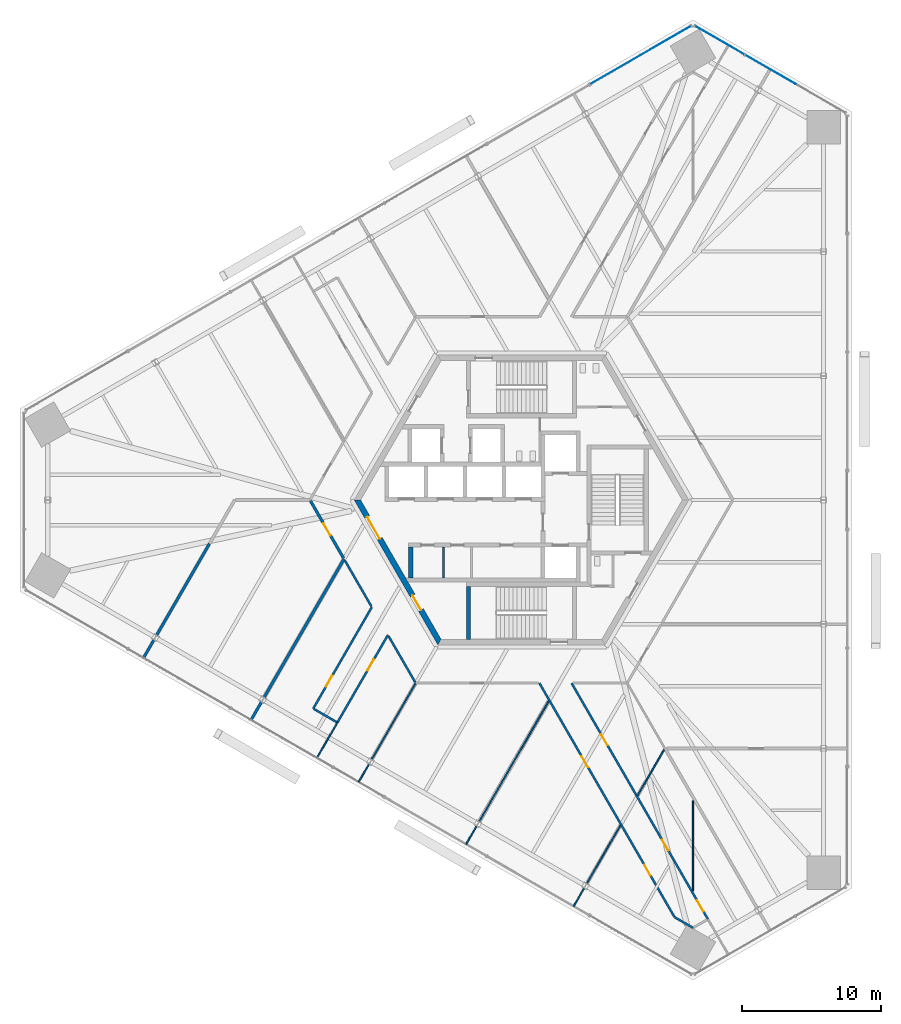
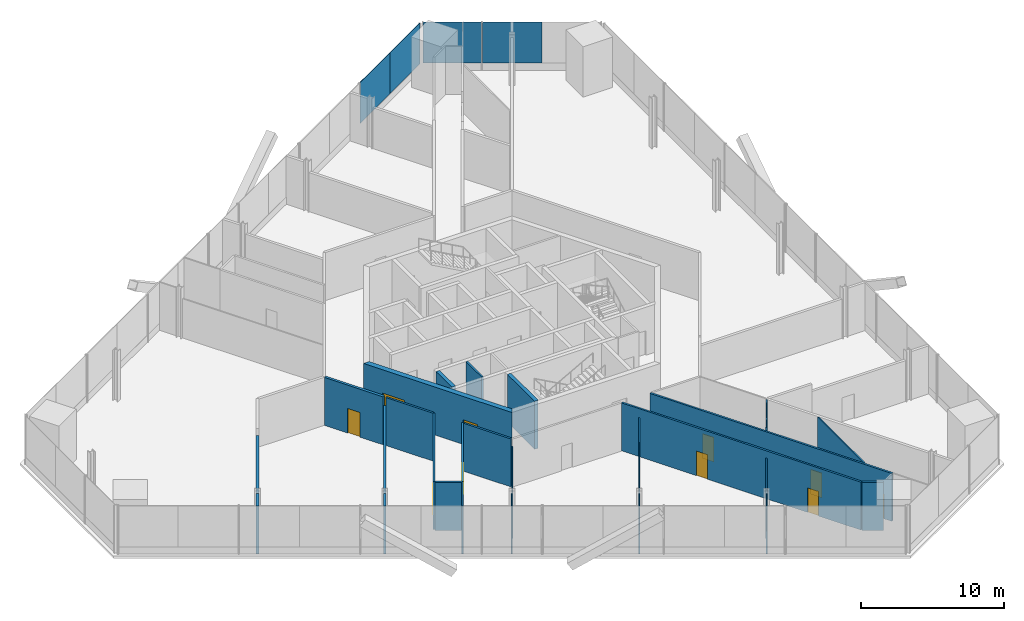
# One storey, part 10 of 16: 27 walls, 10 doors, 4 plates, 10 openings, 2 elements without a shape of their own.
"""IFC4 building model written with IfcOpenShell, lengths in metres."""

import ifcopenshell
import ifcopenshell.guid

model = None  # the IFC model being written
_history = None  # IfcOwnerHistory: only IFC2X3 demands one
_inside = {}  # id of a spatial element -> (the spatial element, [elements in it])
_under = {}  # id of a project, library or spatial element -> (it, [spatial elements below it])
_declared = {}  # id of a project -> (the project, [libraries it declares])
_typed = {}  # id of a type object -> (the type object, [elements of that type])
_made_of = {}  # id of a material, layer set ... -> (it, [elements and type objects made of it])


def new_model(schema):
    """Start an empty IFC model of exactly this schema.

    Asked for "IFC4X3", IfcOpenShell would pick the latest addendum, in which some entities
    have other attributes; the version numbers below select the first issue.
    IFC2X3 requires an IfcOwnerHistory on every rooted entity: one is made here for all.
    """
    global model, _history
    if schema == "IFC4X3":
        model = ifcopenshell.file(schema_version=(4, 3, 0, 0))
    else:
        model = ifcopenshell.file(schema=schema)
    _inside.clear()
    _under.clear()
    _declared.clear()
    _typed.clear()
    _made_of.clear()
    _history = None
    if model.schema == "IFC2X3":
        org = make("IfcOrganization", Name="unknown")
        user = make(
            "IfcPersonAndOrganization",
            ThePerson=make("IfcPerson", FamilyName="unknown"),
            TheOrganization=org,
        )
        app = make(
            "IfcApplication",
            ApplicationDeveloper=org,
            Version="unknown",
            ApplicationFullName="unknown",
            ApplicationIdentifier="unknown",
        )
        _history = make(
            "IfcOwnerHistory",
            OwningUser=user,
            OwningApplication=app,
            ChangeAction="ADDED",
            CreationDate=0,
        )
    return model


def make(cls, **values):
    """One entity of the class cls with the attributes given. An attribute that is None is left unset."""
    return model.create_entity(
        cls, **{name: value for name, value in values.items() if value is not None}
    )


def rooted(cls, **values):
    """An entity with a GlobalId (a new one), such as an element, a storey or a relation."""
    return make(cls, GlobalId=ifcopenshell.guid.new(), OwnerHistory=_history, **values)


def si_unit(unit_type, name, prefix=None):
    """IfcSIUnit, for example si_unit("LENGTHUNIT", "METRE", prefix="MILLI")."""
    return make("IfcSIUnit", UnitType=unit_type, Prefix=prefix, Name=name)


def assignment(units):
    """IfcUnitAssignment: the units of a project."""
    return None if units is None else make("IfcUnitAssignment", Units=units)


def point(xyz):
    """IfcCartesianPoint."""
    return None if xyz is None else make("IfcCartesianPoint", Coordinates=xyz)


def direction(xyz):
    """IfcDirection."""
    return None if xyz is None else make("IfcDirection", DirectionRatios=xyz)


def frame(location, z_axis=None, x_axis=None):
    """IfcAxis2Placement3D, a coordinate frame: its origin and axes. An axis left out is left unset."""
    return make(
        "IfcAxis2Placement3D",
        Location=point(location),
        Axis=direction(z_axis),
        RefDirection=direction(x_axis),
    )


def frame_2d(location, x_axis=None):
    """IfcAxis2Placement2D, a coordinate frame in the plane: its origin and x axis."""
    return make(
        "IfcAxis2Placement2D", Location=point(location), RefDirection=direction(x_axis)
    )


def origin():
    """The frame at (0, 0, 0) with its axes left unset."""
    return frame((0.0, 0.0, 0.0))


def origin_2d():
    """The frame at (0, 0) in the plane with its x axis left unset."""
    return frame_2d((0.0, 0.0))


def place(relative_to, where):
    """IfcLocalPlacement: puts the frame where relative to a parent placement (None: the world)."""
    return make(
        "IfcLocalPlacement", PlacementRelTo=relative_to, RelativePlacement=where
    )


def context(
    kind, dimensions, precision=None, world=None, true_north=None, identifier=None
):
    """IfcGeometricRepresentationContext, for example the 3D "Model" context."""
    return make(
        "IfcGeometricRepresentationContext",
        ContextIdentifier=identifier,
        ContextType=kind,
        CoordinateSpaceDimension=dimensions,
        Precision=precision,
        WorldCoordinateSystem=world,
        TrueNorth=true_north,
    )


def subcontext(parent, identifier, kind, view, scale=None):
    """IfcGeometricRepresentationSubContext, for example "Body" below "Model"."""
    return make(
        "IfcGeometricRepresentationSubContext",
        ContextIdentifier=identifier,
        ContextType=kind,
        ParentContext=parent,
        TargetScale=scale,
        TargetView=view,
    )


def project(units=None, contexts=None):
    """IfcProject with its units and contexts."""
    return rooted(
        "IfcProject",
        Name="project",
        RepresentationContexts=contexts,
        UnitsInContext=assignment(units),
    )


def spatial(cls, under=None, at=None, **own):
    """A site, building, storey or space (cls), placed at a placement, below another one or the project."""
    s = rooted(cls, ObjectPlacement=at, **own)
    if under is not None:
        _under.setdefault(under.id(), (under, []))[1].append(s)
    return s


def polyline(points):
    """IfcPolyline through the points."""
    return make("IfcPolyline", Points=[point(p) for p in points])


def profile(cls, at=None, kind="AREA", **sizes):
    """A parametric profile (cls). Its sizes go by their IFC names, for example OverallWidth=200.0."""
    return make(cls, ProfileType=kind, Position=at, **sizes)


def rectangle(**sizes):
    """IfcRectangleProfileDef."""
    return profile("IfcRectangleProfileDef", **sizes)


def outline(outer, holes=None, kind="AREA"):
    """IfcArbitraryClosedProfileDef: a profile drawn as a closed curve; with holes, ...WithVoids."""
    if holes is None:
        return make("IfcArbitraryClosedProfileDef", ProfileType=kind, OuterCurve=outer)
    return make(
        "IfcArbitraryProfileDefWithVoids",
        ProfileType=kind,
        OuterCurve=outer,
        InnerCurves=holes,
    )


def extrude(swept, where, along, depth):
    """IfcExtrudedAreaSolid: the profile swept, set in the frame where, extruded along a direction by depth."""
    return make(
        "IfcExtrudedAreaSolid",
        SweptArea=swept,
        Position=where,
        ExtrudedDirection=direction(along),
        Depth=depth,
    )


def shape(context_of_items, identifier, shape_type, items):
    """IfcShapeRepresentation: the items that make up one representation, for example the "Body"."""
    return make(
        "IfcShapeRepresentation",
        ContextOfItems=context_of_items,
        RepresentationIdentifier=identifier,
        RepresentationType=shape_type,
        Items=items,
    )


def source(mapping_origin, context_of_items, identifier, shape_type, items):
    """IfcRepresentationMap: a shape defined once, which mapped items show again and again."""
    return make(
        "IfcRepresentationMap",
        MappingOrigin=mapping_origin,
        MappedRepresentation=shape(context_of_items, identifier, shape_type, items),
    )


def transform(
    local_origin,
    x_axis=None,
    y_axis=None,
    z_axis=None,
    scale=None,
    scale2=None,
    scale3=None,
    uniform=True,
):
    """IfcCartesianTransformationOperator3D, or its non-uniform kind. x_axis, y_axis, z_axis: its Axis1, 2, 3."""
    if uniform:
        return make(
            "IfcCartesianTransformationOperator3D",
            Axis1=direction(x_axis),
            Axis2=direction(y_axis),
            LocalOrigin=point(local_origin),
            Scale=scale,
            Axis3=direction(z_axis),
        )
    return make(
        "IfcCartesianTransformationOperator3DnonUniform",
        Axis1=direction(x_axis),
        Axis2=direction(y_axis),
        LocalOrigin=point(local_origin),
        Scale=scale,
        Axis3=direction(z_axis),
        Scale2=scale2,
        Scale3=scale3,
    )


def mapped(mapping_source, mapping_target):
    """IfcMappedItem: shows the shape of a source again, moved by a transform."""
    return make(
        "IfcMappedItem", MappingSource=mapping_source, MappingTarget=mapping_target
    )


def material(Name=None, Category=None):
    """IfcMaterial."""
    return make("IfcMaterial", Name=Name, Category=Category)


def layer(
    of_material, thickness, ventilated=None, Name=None, Category=None, Priority=None
):
    """IfcMaterialLayer: one layer of a wall or slab, of a material (None: an air gap)."""
    return make(
        "IfcMaterialLayer",
        Material=of_material,
        LayerThickness=thickness,
        IsVentilated=ventilated,
        Name=Name,
        Category=Category,
        Priority=Priority,
    )


def layer_set(layers, Name=None):
    """IfcMaterialLayerSet."""
    return make("IfcMaterialLayerSet", MaterialLayers=layers, LayerSetName=Name)


def made_of(thing, what):
    """Note that an element or type object is made of a material, layer set ...; save() writes the relation."""
    if what is not None:
        _made_of.setdefault(what.id(), (what, []))[1].append(thing)
    return thing


def type_object(cls, material=None, **own):
    """A type object (cls), such as IfcWallType, which elements share."""
    return made_of(rooted(cls, **own), material)


def element(
    cls,
    number,
    at=None,
    inside=None,
    cuts=None,
    type_object=None,
    material=None,
    context=None,
    identifier="Body",
    shape_type=None,
    held_by="IfcProductDefinitionShape",
    body=None,
    shapes=None,
    **own,
):
    """One element of the class cls, such as IfcWall. Its Tag is "e" and its number.

    at: its placement. inside: the storey or other place that contains it. cuts: it is an
    opening in that element (IfcRelVoidsElement). A single representation is given by context,
    identifier, shape_type and body (its items); several are given by shapes. held_by: the class
    of the entity that holds the representations. save() writes the other relations.
    """
    e = rooted(cls, Tag="e%d" % number, ObjectPlacement=at, **own)
    if body is not None:
        shapes = [shape(context, identifier, shape_type, body)]
    if shapes is not None:
        e.Representation = make(held_by, Representations=shapes)
    if inside is not None:
        _inside.setdefault(inside.id(), (inside, []))[1].append(e)
    if cuts is not None:
        rooted(
            "IfcRelVoidsElement", RelatingBuildingElement=cuts, RelatedOpeningElement=e
        )
    if type_object is not None:
        _typed.setdefault(type_object.id(), (type_object, []))[1].append(e)
    return made_of(e, material)


def fill(opening, filler):
    """IfcRelFillsElement: the door or window that sits in an opening."""
    return rooted(
        "IfcRelFillsElement",
        RelatingOpeningElement=opening,
        RelatedBuildingElement=filler,
    )


def aggregate(whole, parts):
    """IfcRelAggregates: a whole, such as a stair, and the parts it consists of."""
    return rooted("IfcRelAggregates", RelatingObject=whole, RelatedObjects=parts)


def save(model, path):
    """Write the relations noted so far, then the file.

    IfcRelAggregates (storeys below a building ...), IfcRelContainedInSpatialStructure (elements
    in a storey), IfcRelDefinesByType, IfcRelAssociatesMaterial and IfcRelDeclares: one each for
    every whole, place, type object, material and project.
    """
    for whole, parts in _under.values():
        aggregate(whole, parts)
    for where, things in _inside.values():
        rooted(
            "IfcRelContainedInSpatialStructure",
            RelatedElements=things,
            RelatingStructure=where,
        )
    for kind, things in _typed.values():
        rooted("IfcRelDefinesByType", RelatedObjects=things, RelatingType=kind)
    for what, things in _made_of.values():
        rooted("IfcRelAssociatesMaterial", RelatedObjects=things, RelatingMaterial=what)
    for by, libraries in _declared.values():
        rooted("IfcRelDeclares", RelatingContext=by, RelatedDefinitions=libraries)
    model.write(path)


model = new_model("IFC4")

# Units and contexts
model_context = context("Model", 3, precision=1e-05, world=origin(), true_north=direction((0.0, 1.0)))
body_context = subcontext(model_context, "Body", "Model", "MODEL_VIEW")
ifc_project = project(units=[si_unit("LENGTHUNIT", "METRE"), si_unit("AREAUNIT", "SQUARE_METRE"), si_unit("VOLUMEUNIT", "CUBIC_METRE"), si_unit("PLANEANGLEUNIT", "RADIAN"), si_unit("MASSUNIT", "GRAM", prefix="KILO")], contexts=[model_context])

# Site, building, storey
site_placement = place(None, origin())
site = spatial("IfcSite", under=ifc_project, at=site_placement, CompositionType="ELEMENT")
building_placement = place(site_placement, origin())
building = spatial("IfcBuilding", under=site, at=building_placement, Name="Triune Harvest Tower", CompositionType="ELEMENT")
storey_placement = place(building_placement, frame((0.0, 0.0, 37.5)))
storey = spatial("IfcBuildingStorey", under=building, at=storey_placement, Name="L08", CompositionType="ELEMENT", Elevation=37.5)

# Curtain wall, plates
ifc_material_1 = material(Name="Aluminium bronze anodised", Category="aluminium")
curtain_wall_type = type_object("IfcCurtainWallType", Name="CW-3 Farm floor curtain wall", PredefinedType="NOTDEFINED", material=ifc_material_1)
curtain_wall_1_placement = place(storey_placement, origin())
curtain_wall_1 = element("IfcCurtainWall", 1, at=curtain_wall_1_placement, inside=storey, type_object=curtain_wall_type, Name="CW-3 B1-F2 L08 run 1")
ifc_material_2 = material(Name="Glass", Category="glass")
ifc_layer_1 = layer(ifc_material_2, 0.035888671875)
ifc_layer_set_1 = layer_set([ifc_layer_1], Name="Glass")
plate_type = type_object("IfcPlateType", Name="GL-3 panel 36", PredefinedType="CURTAIN_PANEL", material=ifc_layer_set_1)
shared_shape_1 = source(origin(), body_context, "Body", "SweptSolid", [
    extrude(rectangle(XDim=4.157958984375, YDim=0.035888671875, at=origin_2d()), origin(), (0.0, 0.0, 1.0), 3.5),
])
plate_1_placement = place(storey_placement, frame((17.857666015625, 30.89013671875, 0.60009765625), z_axis=(0.0, 0.0, 1.0), x_axis=(-0.866026145592, 0.499998715149, 0.0)))
plate_1 = element("IfcPlate", 2, at=plate_1_placement, type_object=plate_type, Name="CW-3 panel B1-F2 1.2", PredefinedType="CURTAIN_PANEL", context=body_context, shape_type="MappedRepresentation", body=[
    mapped(shared_shape_1, transform((0.0, 0.0, 0.0), scale=1.0)),
])
shared_shape_2 = source(origin(), body_context, "Body", "SweptSolid", [
    extrude(rectangle(XDim=4.077880859375, YDim=0.035888671875, at=origin_2d()), origin(), (0.0, 0.0, 1.0), 3.5),
])
plate_2_placement = place(storey_placement, frame((14.22216796875, 32.989013671875, 0.60009765625), z_axis=(0.0, 0.0, 1.0), x_axis=(-0.866026145592, 0.499998715149, 0.0)))
plate_2 = element("IfcPlate", 3, at=plate_2_placement, type_object=plate_type, Name="CW-3 panel B1-F2 1.3", PredefinedType="CURTAIN_PANEL", context=body_context, shape_type="MappedRepresentation", body=[
    mapped(shared_shape_2, transform((0.0, 0.0, 0.0), scale=1.0)),
])
aggregate(curtain_wall_1, [plate_1, plate_2])

curtain_wall_2_placement = place(storey_placement, origin())
curtain_wall_2 = element("IfcCurtainWall", 4, at=curtain_wall_2_placement, inside=storey, type_object=curtain_wall_type, Name="CW-3 B1-F3 L08 run 1")
shared_shape_3 = source(origin(), body_context, "Body", "SweptSolid", [
    extrude(rectangle(XDim=4.168701171875, YDim=0.035888671875, at=origin_2d()), origin(), (0.0, 0.0, 1.0), 3.5),
])
plate_3_placement = place(storey_placement, frame((10.356689453125, 32.96630859375, 0.60009765625), z_axis=(0.0, 0.0, 1.0), x_axis=(-0.866028152342, -0.499995239328, 0.0)))
plate_3 = element("IfcPlate", 5, at=plate_3_placement, type_object=plate_type, Name="CW-3 panel B1-F3 1.1", PredefinedType="CURTAIN_PANEL", context=body_context, shape_type="MappedRepresentation", body=[
    mapped(shared_shape_3, transform((0.0, 0.0, 0.0), scale=1.0)),
])
plate_4_placement = place(storey_placement, frame((6.74658203125, 30.882080078125, 0.60009765625), z_axis=(0.0, 0.0, 1.0), x_axis=(-0.866028152342, -0.499995239328, 0.0)))
plate_4 = element("IfcPlate", 6, at=plate_4_placement, type_object=plate_type, Name="CW-3 panel B1-F3 1.2", PredefinedType="CURTAIN_PANEL", context=body_context, shape_type="MappedRepresentation", body=[
    mapped(shared_shape_3, transform((0.0, 0.0, 0.0), scale=1.0)),
])
aggregate(curtain_wall_2, [plate_3, plate_4])

# Walls
ifc_material_3 = material(Name="Gypsum board on steel studs", Category="steel")
ifc_layer_2 = layer(ifc_material_3, 0.14990234375)
ifc_layer_set_2 = layer_set([ifc_layer_2], Name="Gypsum board on steel studs")
wall_type_1 = type_object("IfcWallType", Name="Fire Partition 150 mm", PredefinedType="PARTITIONING", material=ifc_layer_set_2)
wall_1_placement = place(storey_placement, frame((-12.665283203125, -4.347900390625, 0.0), z_axis=(0.0, 0.0, 1.0), x_axis=(0.500009333805, -0.866020014843, 0.0)))
element("IfcWall", 7, at=wall_1_placement, inside=storey, type_object=wall_type_1, Name="Partition L08 002", PredefinedType="PARTITIONING", context=body_context, shape_type="SweptSolid", body=[
    extrude(rectangle(XDim=3.80615234375, YDim=0.14990234375, at=frame_2d((1.903076171875, 0.0))), origin(), (0.0, 0.0, 1.0), 4.10009765625),
])
wall_2_placement = place(storey_placement, frame((-9.52734375, -9.78271484375, 0.0), z_axis=(0.0, 0.0, 1.0), x_axis=(0.500013098431, -0.86601784127, 0.0)))
element("IfcWall", 8, at=wall_2_placement, inside=storey, type_object=wall_type_1, Name="Partition L08 003", PredefinedType="PARTITIONING", context=body_context, shape_type="SweptSolid", body=[
    extrude(rectangle(XDim=3.82958984375, YDim=0.14990234375, at=frame_2d((1.914794921875, 0.0))), origin(), (0.0, 0.0, 1.0), 4.10009765625),
])

# Wall, openings, doors
wall_3_placement = place(storey_placement, frame((1.288818359375, -13.142333984375, 0.0), z_axis=(0.0, 0.0, 1.0), x_axis=(0.500002274473, -0.866024090613, 0.0)))
wall_3 = element("IfcWall", 9, at=wall_3_placement, inside=storey, type_object=wall_type_1, Name="Partition L08 008", PredefinedType="PARTITIONING", context=body_context, shape_type="SweptSolid", body=[
    extrude(rectangle(XDim=19.384765625, YDim=0.14990234375, at=frame_2d((9.6923828125, 0.0))), origin(), (0.0, 0.0, 1.0), 4.10009765625),
])
opening_1_placement = place(wall_3_placement, frame((6.061767578125, 0.0, 0.0)))
opening_1 = element("IfcOpeningElement", 10, at=opening_1_placement, cuts=wall_3, Name="Opening L08-017", PredefinedType="OPENING", context=body_context, shape_type="SweptSolid", body=[
    extrude(rectangle(XDim=0.89990234375, YDim=2.10009765625, at=frame_2d((0.449951171875, 1.050048828125))), frame((0.0, 0.0849609375, 0.0), z_axis=(0.0, -1.0, 0.0), x_axis=(1.0, 0.0, 0.0)), (0.0, 0.0, 1.0), 0.169921875),
])
opening_2_placement = place(wall_3_placement, frame((15.05029296875, 0.0, 0.0)))
opening_2 = element("IfcOpeningElement", 11, at=opening_2_placement, cuts=wall_3, Name="Opening L08-019", PredefinedType="OPENING", context=body_context, shape_type="SweptSolid", body=[
    extrude(rectangle(XDim=0.89990234375, YDim=2.10009765625, at=frame_2d((0.449951171875, 1.050048828125))), frame((0.0, 0.0849609375, 0.0), z_axis=(0.0, -1.0, 0.0), x_axis=(1.0, 0.0, 0.0)), (0.0, 0.0, 1.0), 0.169921875),
])
ifc_material_4 = material(Name="Timber and steel door set", Category="steel")
door_type_1 = type_object("IfcDoorType", Name="Single leaf door FD30 left hand 900 x 2100", OperationType="SINGLE_SWING_LEFT", PredefinedType="DOOR", material=ifc_material_4)
door_1_placement = place(opening_2_placement, origin())
door_1 = element("IfcDoor", 12, at=door_1_placement, inside=storey, type_object=door_type_1, Name="Door L08-019 Laboratory 08.19", OperationType="SINGLE_SWING_LEFT", OverallHeight=2.10009765625, OverallWidth=0.89990234375, PredefinedType="DOOR", context=body_context, shape_type="SweptSolid", body=[
    extrude(rectangle(XDim=0.89990234375, YDim=2.10009765625, at=frame_2d((0.449951171875, 1.050048828125))), frame((0.0, 0.02490234375, 0.0), z_axis=(0.0, -1.0, 0.0), x_axis=(1.0, 0.0, 0.0)), (0.0, 0.0, 1.0), 0.050048828125),
])
fill(opening_2, door_1)
ifc_material_5 = material(Name="Timber and steel door set", Category="steel")
door_type_2 = type_object("IfcDoorType", Name="Single leaf door FD30 right hand 900 x 2100", OperationType="SINGLE_SWING_RIGHT", PredefinedType="DOOR", material=ifc_material_5)
door_2_placement = place(opening_1_placement, origin())
door_2 = element("IfcDoor", 13, at=door_2_placement, inside=storey, type_object=door_type_2, Name="Door L08-017 Packing Room 08.17", OperationType="SINGLE_SWING_RIGHT", OverallHeight=2.10009765625, OverallWidth=0.89990234375, PredefinedType="DOOR", context=body_context, shape_type="SweptSolid", body=[
    extrude(rectangle(XDim=0.89990234375, YDim=2.10009765625, at=frame_2d((0.449951171875, 1.050048828125))), frame((0.0, 0.02490234375, 0.0), z_axis=(0.0, -1.0, 0.0), x_axis=(1.0, 0.0, 0.0)), (0.0, 0.0, 1.0), 0.050048828125),
])
fill(opening_1, door_2)

wall_4_placement = place(storey_placement, frame((3.598388671875, -13.14208984375, 0.0), z_axis=(0.0, 0.0, 1.0), x_axis=(0.499992232847, -0.866029888106, 0.0)))
wall_4 = element("IfcWall", 14, at=wall_4_placement, inside=storey, type_object=wall_type_1, Name="Partition L08 010", PredefinedType="PARTITIONING", context=body_context, shape_type="SweptSolid", body=[
    extrude(rectangle(XDim=19.557861328125, YDim=0.14990234375, at=frame_2d((9.77880859375, 0.0))), origin(), (0.0, 0.0, 1.0), 4.10009765625),
])
opening_3_placement = place(wall_4_placement, frame((4.24072265625, 0.0, 0.0)))
opening_3 = element("IfcOpeningElement", 15, at=opening_3_placement, cuts=wall_4, Name="Opening L08-018", PredefinedType="OPENING", context=body_context, shape_type="SweptSolid", body=[
    extrude(rectangle(XDim=0.89990234375, YDim=2.10009765625, at=frame_2d((0.449951171875, 1.050048828125))), frame((0.0, 0.0849609375, 0.0), z_axis=(0.0, -1.0, 0.0), x_axis=(1.0, 0.0, 0.0)), (0.0, 0.0, 1.0), 0.169921875),
])
opening_4_placement = place(wall_4_placement, frame((12.9716796875, 0.0, 0.0)))
opening_4 = element("IfcOpeningElement", 16, at=opening_4_placement, cuts=wall_4, Name="Opening L08-020", PredefinedType="OPENING", context=body_context, shape_type="SweptSolid", body=[
    extrude(rectangle(XDim=0.89990234375, YDim=2.10009765625, at=frame_2d((0.449951171875, 1.050048828125))), frame((0.0, 0.0849609375, 0.0), z_axis=(0.0, -1.0, 0.0), x_axis=(1.0, 0.0, 0.0)), (0.0, 0.0, 1.0), 0.169921875),
])
opening_5_placement = place(wall_4_placement, frame((18.01806640625, 0.0, 0.0)))
opening_5 = element("IfcOpeningElement", 17, at=opening_5_placement, cuts=wall_4, Name="Opening L08-021", PredefinedType="OPENING", context=body_context, shape_type="SweptSolid", body=[
    extrude(rectangle(XDim=0.89990234375, YDim=2.10009765625, at=frame_2d((0.449951171875, 1.050048828125))), frame((0.0, 0.0849609375, 0.0), z_axis=(0.0, -1.0, 0.0), x_axis=(1.0, 0.0, 0.0)), (0.0, 0.0, 1.0), 0.169921875),
])
door_3_placement = place(opening_3_placement, origin())
door_3 = element("IfcDoor", 18, at=door_3_placement, inside=storey, type_object=door_type_1, Name="Door L08-018 Packing Room 08.18", OperationType="SINGLE_SWING_LEFT", OverallHeight=2.10009765625, OverallWidth=0.89990234375, PredefinedType="DOOR", context=body_context, shape_type="SweptSolid", body=[
    extrude(rectangle(XDim=0.89990234375, YDim=2.10009765625, at=frame_2d((0.449951171875, 1.050048828125))), frame((0.0, 0.02490234375, 0.0), z_axis=(0.0, -1.0, 0.0), x_axis=(1.0, 0.0, 0.0)), (0.0, 0.0, 1.0), 0.050048828125),
])
fill(opening_3, door_3)
door_4_placement = place(opening_4_placement, origin())
door_4 = element("IfcDoor", 19, at=door_4_placement, inside=storey, type_object=door_type_2, Name="Door L08-020 Dry Store Room 08.20", OperationType="SINGLE_SWING_RIGHT", OverallHeight=2.10009765625, OverallWidth=0.89990234375, PredefinedType="DOOR", context=body_context, shape_type="SweptSolid", body=[
    extrude(rectangle(XDim=0.89990234375, YDim=2.10009765625, at=frame_2d((0.449951171875, 1.050048828125))), frame((0.0, 0.02490234375, 0.0), z_axis=(0.0, -1.0, 0.0), x_axis=(1.0, 0.0, 0.0)), (0.0, 0.0, 1.0), 0.050048828125),
])
fill(opening_4, door_4)
door_5_placement = place(opening_5_placement, origin())
door_5 = element("IfcDoor", 20, at=door_5_placement, inside=storey, type_object=door_type_2, Name="Door L08-021 Packing Room 08.21", OperationType="SINGLE_SWING_RIGHT", OverallHeight=2.10009765625, OverallWidth=0.89990234375, PredefinedType="DOOR", context=body_context, shape_type="SweptSolid", body=[
    extrude(rectangle(XDim=0.89990234375, YDim=2.10009765625, at=frame_2d((0.449951171875, 1.050048828125))), frame((0.0, 0.02490234375, 0.0), z_axis=(0.0, -1.0, 0.0), x_axis=(1.0, 0.0, 0.0)), (0.0, 0.0, 1.0), 0.050048828125),
])
fill(opening_5, door_5)

# Wall, opening, door
wall_5_placement = place(storey_placement, frame((-14.938720703125, -14.965087890625, 0.0), z_axis=(0.0, 0.0, 1.0), x_axis=(0.499994897466, 0.866028349714, 0.0)))
wall_5 = element("IfcWall", 21, at=wall_5_placement, inside=storey, type_object=wall_type_1, Name="Partition L08 054", PredefinedType="PARTITIONING", context=body_context, shape_type="SweptSolid", body=[
    extrude(rectangle(XDim=8.4033203125, YDim=0.14990234375, at=frame_2d((4.20166015625, 0.0))), origin(), (0.0, 0.0, 1.0), 4.10009765625),
])
opening_6_placement = place(wall_5_placement, frame((1.82568359375, 0.0, 0.0)))
opening_6 = element("IfcOpeningElement", 22, at=opening_6_placement, cuts=wall_5, Name="Opening L08-014", PredefinedType="OPENING", context=body_context, shape_type="SweptSolid", body=[
    extrude(rectangle(XDim=0.89990234375, YDim=2.10009765625, at=frame_2d((0.449951171875, 1.050048828125))), frame((0.0, 0.0849609375, 0.0), z_axis=(0.0, -1.0, 0.0), x_axis=(1.0, 0.0, 0.0)), (0.0, 0.0, 1.0), 0.169921875),
])
door_6_placement = place(opening_6_placement, origin())
door_6 = element("IfcDoor", 23, at=door_6_placement, inside=storey, type_object=door_type_1, Name="Door L08-014 Dry Store Room 08.14", OperationType="SINGLE_SWING_LEFT", OverallHeight=2.10009765625, OverallWidth=0.89990234375, PredefinedType="DOOR", context=body_context, shape_type="SweptSolid", body=[
    extrude(rectangle(XDim=0.89990234375, YDim=2.10009765625, at=frame_2d((0.449951171875, 1.050048828125))), frame((0.0, 0.02490234375, 0.0), z_axis=(0.0, -1.0, 0.0), x_axis=(1.0, 0.0, 0.0)), (0.0, 0.0, 1.0), 0.050048828125),
])
fill(opening_6, door_6)

ifc_material_6 = material(Name="Gypsum board on steel studs", Category="steel")
ifc_layer_3 = layer(ifc_material_6, 0.199951171875)
ifc_layer_set_3 = layer_set([ifc_layer_3], Name="Gypsum board on steel studs")
wall_type_2 = type_object("IfcWallType", Name="Fire Wall 200 mm", PredefinedType="PARTITIONING", material=ifc_layer_set_3)
wall_6_placement = place(storey_placement, frame((-15.140380859375, -0.060546875, 0.0), z_axis=(0.0, 0.0, 1.0), x_axis=(0.500002721793, -0.866023832351, 0.0)))
wall_6 = element("IfcWall", 24, at=wall_6_placement, inside=storey, type_object=wall_type_2, Name="Partition L08 001", PredefinedType="PARTITIONING", context=body_context, shape_type="SweptSolid", body=[
    extrude(rectangle(XDim=4.75048828125, YDim=0.199951171875, at=frame_2d((2.375244140625, 0.0))), origin(), (0.0, 0.0, 1.0), 4.10009765625),
])
opening_7_placement = place(wall_6_placement, frame((1.880126953125, 0.0, 0.0)))
opening_7 = element("IfcOpeningElement", 25, at=opening_7_placement, cuts=wall_6, Name="Opening L08-013", PredefinedType="OPENING", context=body_context, shape_type="SweptSolid", body=[
    extrude(rectangle(XDim=1.0, YDim=2.10009765625, at=frame_2d((0.5, 1.050048828125))), frame((0.0, 0.10986328125, 0.0), z_axis=(0.0, -1.0, 0.0), x_axis=(1.0, 0.0, 0.0)), (0.0, 0.0, 1.0), 0.219970703125),
])
ifc_material_7 = material(Name="Timber and steel door set", Category="steel")
door_type_3 = type_object("IfcDoorType", Name="Wide single leaf door FD60 left hand 1000 x 2100", OperationType="SINGLE_SWING_LEFT", PredefinedType="DOOR", material=ifc_material_7)
door_7_placement = place(opening_7_placement, origin())
door_7 = element("IfcDoor", 26, at=door_7_placement, inside=storey, type_object=door_type_3, Name="Door L08-013 Strawberry Growing Room 08.13", OperationType="SINGLE_SWING_LEFT", OverallHeight=2.10009765625, OverallWidth=1.0, PredefinedType="DOOR", context=body_context, shape_type="SweptSolid", body=[
    extrude(rectangle(XDim=1.0, YDim=2.10009765625, at=frame_2d((0.5, 1.050048828125))), frame((0.0, 0.02490234375, 0.0), z_axis=(0.0, -1.0, 0.0), x_axis=(1.0, 0.0, 0.0)), (0.0, 0.0, 1.0), 0.050048828125),
])
fill(opening_7, door_7)

# Walls
ifc_material_8 = material(Name="Gypsum board on steel studs", Category="steel")
ifc_layer_4 = layer(ifc_material_8, 0.10009765625)
ifc_layer_set_4 = layer_set([ifc_layer_4], Name="Gypsum board on steel studs")
wall_type_3 = type_object("IfcWallType", Name="Partition 100 mm", PredefinedType="PARTITIONING", material=ifc_layer_set_4)
wall_7_placement = place(storey_placement, frame((3.74658203125, -29.150390625, 0.0), z_axis=(0.0, 0.0, 1.0), x_axis=(0.500027927039, 0.866009279501, 0.0)))
element("IfcWall", 27, at=wall_7_placement, inside=storey, type_object=wall_type_3, Name="Partition L08 038", PredefinedType="PARTITIONING", context=body_context, shape_type="SweptSolid", body=[
    extrude(rectangle(XDim=1.4990234375, YDim=0.10009765625, at=frame_2d((0.74951171875, 0.0))), origin(), (0.0, 0.0, 1.0), 4.10009765625),
])
wall_8_placement = place(storey_placement, frame((8.968017578125, -20.106689453125, 0.0), z_axis=(0.0, 0.0, 1.0), x_axis=(0.500066192889, 0.865987183929, 0.0)))
element("IfcWall", 28, at=wall_8_placement, inside=storey, type_object=wall_type_3, Name="Partition L08 040a", PredefinedType="PARTITIONING", context=body_context, shape_type="SweptSolid", body=[
    extrude(rectangle(XDim=2.520751953125, YDim=0.10009765625, at=frame_2d((1.26025390625, 0.0))), origin(), (0.0, 0.0, 1.0), 4.10009765625),
])
wall_9_placement = place(storey_placement, frame((-3.969482421875, -24.6953125, 0.0), z_axis=(0.0, 0.0, 1.0), x_axis=(0.499905760005, 0.866079806435, 0.0)))
element("IfcWall", 29, at=wall_9_placement, inside=storey, type_object=wall_type_3, Name="Partition L08 043", PredefinedType="PARTITIONING", context=body_context, shape_type="SweptSolid", body=[
    extrude(rectangle(XDim=1.498779296875, YDim=0.10009765625, at=frame_2d((0.74951171875, 0.0))), origin(), (0.0, 0.0, 1.0), 4.10009765625),
])
wall_10_placement = place(storey_placement, frame((-14.677490234375, -18.5126953125, 0.0), z_axis=(0.0, 0.0, 1.0), x_axis=(0.499959535909, 0.866048764478, 0.0)))
element("IfcWall", 30, at=wall_10_placement, inside=storey, type_object=wall_type_3, Name="Partition L08 049", PredefinedType="PARTITIONING", context=body_context, shape_type="SweptSolid", body=[
    extrude(rectangle(XDim=2.941650390625, YDim=0.10009765625, at=frame_2d((1.470703125, 0.0))), origin(), (0.0, 0.0, 1.0), 4.10009765625),
])
wall_11_placement = place(storey_placement, frame((12.30908203125, -28.039794921875, 0.0), z_axis=(0.0, 0.0, 1.0), x_axis=(0.0, 1.0, 0.0)))
element("IfcWall", 31, at=wall_11_placement, inside=storey, type_object=wall_type_3, Name="Partition L08 063", PredefinedType="PARTITIONING", context=body_context, shape_type="SweptSolid", body=[
    extrude(rectangle(XDim=6.4697265625, YDim=0.10009765625, at=frame_2d((3.23486328125, 0.0))), origin(), (0.0, 0.0, 1.0), 4.10009765625),
])

# Wall, openings, doors
ifc_material_9 = material(Name="Concrete 70 MPa", Category="concrete")
ifc_layer_5 = layer(ifc_material_9, 0.39990234375)
ifc_layer_set_5 = layer_set([ifc_layer_5], Name="Concrete 70 MPa")
wall_type_4 = type_object("IfcWallType", Name="Core wall 400", PredefinedType="SHEAR", material=ifc_layer_set_5)
shared_shape_4 = source(origin(), body_context, "Body", "SweptSolid", [
    extrude(outline(polyline([(-0.115478515625, -0.199951171875), (11.884521484375, -0.199951171875), (11.653564453125, 0.199951171875), (0.115478515625, 0.199951171875), (-0.115478515625, -0.199951171875)])), origin(), (0.0, 0.0, 1.0), 4.10009765625),
])
wall_12_placement = place(storey_placement, frame((-11.76904296875, 0.0, 0.0), z_axis=(0.0, 0.0, 1.0), x_axis=(0.499996592174, -0.866027371285, 0.0)))
wall_12 = element("IfcWall", 32, at=wall_12_placement, inside=storey, type_object=wall_type_4, Name="Hexagon 3 wall", PredefinedType="SHEAR", context=body_context, shape_type="MappedRepresentation", body=[
    mapped(shared_shape_4, transform((0.0, 0.0, 0.0), scale=1.0)),
])
opening_8_placement = place(wall_12_placement, frame((1.404541015625, 0.0, 0.0)))
opening_8 = element("IfcOpeningElement", 33, at=opening_8_placement, cuts=wall_12, Name="Opening CD-LS", PredefinedType="OPENING", context=body_context, shape_type="SweptSolid", body=[
    extrude(rectangle(XDim=1.800048828125, YDim=2.10009765625, at=frame_2d((0.89990234375, 1.050048828125))), frame((0.0, 0.2099609375, 0.0), z_axis=(0.0, -1.0, 0.0), x_axis=(1.0, 0.0, 0.0)), (0.0, 0.0, 1.0), 0.419921875),
])
opening_9_placement = place(wall_12_placement, frame((7.91455078125, 0.0, 0.0)))
opening_9 = element("IfcOpeningElement", 34, at=opening_9_placement, cuts=wall_12, Name="Opening CD-SWP", PredefinedType="OPENING", context=body_context, shape_type="SweptSolid", body=[
    extrude(rectangle(XDim=1.199951171875, YDim=2.10009765625, at=frame_2d((0.60009765625, 1.050048828125))), frame((0.0, 0.2099609375, 0.0), z_axis=(0.0, -1.0, 0.0), x_axis=(1.0, 0.0, 0.0)), (0.0, 0.0, 1.0), 0.419921875),
])
ifc_material_10 = material(Name="Steel S235", Category="steel")
door_type_4 = type_object("IfcDoorType", Name="Lobby door 1800 FD120", OperationType="DOUBLE_DOOR_DOUBLE_SWING", PredefinedType="DOOR", material=ifc_material_10)
door_8_placement = place(opening_8_placement, frame((1.800048828125, 0.0, 0.0), z_axis=(0.0, 0.0, 1.0), x_axis=(-1.0, 0.0, 0.0)))
door_8 = element("IfcDoor", 35, at=door_8_placement, inside=storey, type_object=door_type_4, Name="Door CD-LS", OperationType="DOUBLE_DOOR_DOUBLE_SWING", OverallHeight=2.10009765625, OverallWidth=1.800048828125, PredefinedType="DOOR", context=body_context, shape_type="SweptSolid", body=[
    extrude(rectangle(XDim=1.800048828125, YDim=2.10009765625, at=frame_2d((0.89990234375, 1.050048828125))), frame((0.0, 0.02490234375, 0.0), z_axis=(0.0, -1.0, 0.0), x_axis=(1.0, 0.0, 0.0)), (0.0, 0.0, 1.0), 0.050048828125),
])
fill(opening_8, door_8)
ifc_material_11 = material(Name="Steel S235", Category="steel")
door_type_5 = type_object("IfcDoorType", Name="Service door 1200 FD120", OperationType="SINGLE_SWING_LEFT", PredefinedType="DOOR", material=ifc_material_11)
door_9_placement = place(opening_9_placement, frame((1.199951171875, 0.0, 0.0), z_axis=(0.0, 0.0, 1.0), x_axis=(-1.0, 0.0, 0.0)))
door_9 = element("IfcDoor", 36, at=door_9_placement, inside=storey, type_object=door_type_5, Name="Door CD-SWP", OperationType="SINGLE_SWING_RIGHT", OverallHeight=2.10009765625, OverallWidth=1.199951171875, PredefinedType="DOOR", context=body_context, shape_type="SweptSolid", body=[
    extrude(rectangle(XDim=1.199951171875, YDim=2.10009765625, at=frame_2d((0.60009765625, 1.050048828125))), frame((0.0, 0.02490234375, 0.0), z_axis=(0.0, -1.0, 0.0), x_axis=(1.0, 0.0, 0.0)), (0.0, 0.0, 1.0), 0.050048828125),
])
fill(opening_9, door_9)

# Walls
ifc_material_12 = material(Name="Concrete 70 MPa", Category="concrete")
ifc_layer_6 = layer(ifc_material_12, 0.300048828125)
ifc_layer_set_6 = layer_set([ifc_layer_6], Name="Concrete 70 MPa")
wall_type_5 = type_object("IfcWallType", Name="Core wall 300", PredefinedType="SHEAR", material=ifc_layer_set_6)
shared_shape_5 = source(origin(), body_context, "Body", "SweptSolid", [
    extrude(rectangle(XDim=2.2001953125, YDim=0.300048828125, at=frame_2d((1.10009765625, 0.0))), origin(), (0.0, 0.0, 1.0), 4.10009765625),
])
wall_13_placement = place(storey_placement, frame((-7.949951171875, -5.590087890625, 0.0), z_axis=(0.0, 0.0, 1.0), x_axis=(0.0, 1.0, 0.0)))
element("IfcWall", 37, at=wall_13_placement, inside=storey, type_object=wall_type_5, Name="South end west wall", PredefinedType="SHEAR", context=body_context, shape_type="MappedRepresentation", body=[
    mapped(shared_shape_5, transform((0.0, 0.0, 0.0), scale=1.0)),
])
shared_shape_6 = source(origin(), body_context, "Body", "SweptSolid", [
    extrude(outline(polyline([(3.800048828125, -0.14990234375), (-0.00439453125, -0.14990234375), (-0.00439453125, 0.14990234375), (3.800048828125, 0.14990234375), (3.800048828125, -0.14990234375)])), origin(), (0.0, 0.0, 1.0), 4.10009765625),
])
wall_14_placement = place(storey_placement, frame((-3.800048828125, -9.989990234375, 0.0), z_axis=(0.0, 0.0, 1.0), x_axis=(0.0, 1.0, 0.0)))
element("IfcWall", 38, at=wall_14_placement, inside=storey, type_object=wall_type_5, Name="Stair s west wall", PredefinedType="SHEAR", context=body_context, shape_type="MappedRepresentation", body=[
    mapped(shared_shape_6, transform((0.0, 0.0, 0.0), scale=1.0)),
])
ifc_material_13 = material(Name="Concrete masonry unit", Category="masonry")
ifc_layer_7 = layer(ifc_material_13, 0.14990234375)
ifc_layer_set_7 = layer_set([ifc_layer_7], Name="Concrete masonry unit")
wall_type_6 = type_object("IfcWallType", Name="Block partition 150", PredefinedType="PARTITIONING", material=ifc_layer_set_7)
shared_shape_7 = source(origin(), body_context, "Body", "SweptSolid", [
    extrude(rectangle(XDim=2.2001953125, YDim=0.14990234375, at=frame_2d((1.10009765625, 0.0))), origin(), (0.0, 0.0, 1.0), 4.10009765625),
])
wall_15_placement = place(storey_placement, frame((-5.60009765625, -5.590087890625, 0.0), z_axis=(0.0, 0.0, 1.0), x_axis=(0.0, 1.0, 0.0)))
element("IfcWall", 39, at=wall_15_placement, inside=storey, type_object=wall_type_6, Name="Row s part 1 wall", PredefinedType="PARTITIONING", context=body_context, shape_type="MappedRepresentation", body=[
    mapped(shared_shape_7, transform((0.0, 0.0, 0.0), scale=1.0)),
])
shared_shape_8 = source(origin(), body_context, "Body", "SweptSolid", [
    extrude(rectangle(XDim=1.49853515625, YDim=0.199951171875, at=frame_2d((0.749267578125, 0.0))), origin(), (0.0, 0.0, 1.0), 4.10009765625),
])
for number, where, z_axis, x_axis, name in (
    (40, (-19.40185546875, -15.78515625, 0.0), (0.0, 0.0, 1.0), (0.499976292358, 0.866039090965, 0.0), "Partition L08 057"),
    (41, (-27.1181640625, -11.330078125, 0.0), (0.0, 0.0, 1.0), (0.499976292358, 0.866039090965, 0.0), "Partition L08 061"),
):
    element("IfcWall", number, at=place(storey_placement, frame(where, z_axis=z_axis, x_axis=x_axis)), inside=storey, type_object=wall_type_2, Name=name, PredefinedType="PARTITIONING", context=body_context, shape_type="MappedRepresentation", body=[
        mapped(shared_shape_8, transform((0.0, 0.0, 0.0), scale=1.0)),
    ])
shared_shape_9 = source(origin(), body_context, "Body", "SweptSolid", [
    extrude(rectangle(XDim=1.49853515625, YDim=0.10009765625, at=frame_2d((0.749267578125, 0.0))), origin(), (0.0, 0.0, 1.0), 4.10009765625),
])
wall_16_placement = place(storey_placement, frame((-11.685546875, -20.240234375, 0.0), z_axis=(0.0, 0.0, 1.0), x_axis=(0.499976292358, 0.866039090965, 0.0)))
element("IfcWall", 42, at=wall_16_placement, inside=storey, type_object=wall_type_3, Name="Partition L08 045", PredefinedType="PARTITIONING", context=body_context, shape_type="MappedRepresentation", body=[
    mapped(shared_shape_9, transform((0.0, 0.0, 0.0), scale=1.0)),
])
shared_shape_10 = source(origin(), body_context, "Body", "SweptSolid", [
    extrude(rectangle(XDim=7.568359375, YDim=0.199951171875, at=frame_2d((3.7841796875, 0.0))), origin(), (0.0, 0.0, 1.0), 3.48779296875),
])
wall_17_placement = place(storey_placement, frame((-26.17578125, -9.69775390625, 0.0), z_axis=(0.0, 0.0, 1.0), x_axis=(0.499997032024, 0.866027117339, 0.0)))
element("IfcWall", 43, at=wall_17_placement, inside=storey, type_object=wall_type_2, Name="Partition L08 062", PredefinedType="PARTITIONING", context=body_context, shape_type="MappedRepresentation", body=[
    mapped(shared_shape_10, transform((0.0, 0.0, 0.0), scale=1.0)),
])

# Wall, opening, door
shared_shape_11 = source(origin(), body_context, "Body", "SweptSolid", [
    extrude(rectangle(XDim=7.248779296875, YDim=0.14990234375, at=frame_2d((3.62451171875, 0.0))), origin(), (0.0, 0.0, 1.0), 4.10009765625),
])
wall_18_placement = place(storey_placement, frame((-13.206787109375, -15.965087890625, 0.0), z_axis=(0.0, 0.0, 1.0), x_axis=(0.500014967241, 0.866016762271, 0.0)))
wall_18 = element("IfcWall", 44, at=wall_18_placement, inside=storey, type_object=wall_type_1, Name="Partition L08 050", PredefinedType="PARTITIONING", context=body_context, shape_type="MappedRepresentation", body=[
    mapped(shared_shape_11, transform((0.0, 0.0, 0.0), scale=1.0)),
])
opening_10_placement = place(wall_18_placement, frame((4.3095703125, 0.0, 0.0)))
opening_10 = element("IfcOpeningElement", 45, at=opening_10_placement, cuts=wall_18, Name="Opening L08-015", PredefinedType="OPENING", context=body_context, shape_type="SweptSolid", body=[
    extrude(rectangle(XDim=0.89990234375, YDim=2.10009765625, at=frame_2d((0.449951171875, 1.050048828125))), frame((0.0, 0.0849609375, 0.0), z_axis=(0.0, -1.0, 0.0), x_axis=(1.0, 0.0, 0.0)), (0.0, 0.0, 1.0), 0.169921875),
])
door_10_placement = place(opening_10_placement, origin())
door_10 = element("IfcDoor", 46, at=door_10_placement, inside=storey, type_object=door_type_1, Name="Door L08-015 Packing Room 08.15", OperationType="SINGLE_SWING_LEFT", OverallHeight=2.10009765625, OverallWidth=0.89990234375, PredefinedType="DOOR", context=body_context, shape_type="SweptSolid", body=[
    extrude(rectangle(XDim=0.89990234375, YDim=2.10009765625, at=frame_2d((0.449951171875, 1.050048828125))), frame((0.0, 0.02490234375, 0.0), z_axis=(0.0, -1.0, 0.0), x_axis=(1.0, 0.0, 0.0)), (0.0, 0.0, 1.0), 0.050048828125),
])
fill(opening_10, door_10)

# Walls
shared_shape_12 = source(origin(), body_context, "Body", "SweptSolid", [
    extrude(rectangle(XDim=1.889892578125, YDim=0.14990234375, at=frame_2d((0.94482421875, 0.0))), origin(), (0.0, 0.0, 1.0), 4.10009765625),
])
wall_19_placement = place(storey_placement, frame((-14.8955078125, -14.99072265625, 0.0), z_axis=(0.0, 0.0, 1.0), x_axis=(0.866000578957, -0.500042995397, 0.0)))
element("IfcWall", 47, at=wall_19_placement, inside=storey, type_object=wall_type_1, Name="Partition L08 023", PredefinedType="PARTITIONING", context=body_context, shape_type="MappedRepresentation", body=[
    mapped(shared_shape_12, transform((0.0, 0.0, 0.0), scale=1.0)),
])
shared_shape_13 = source(origin(), body_context, "Body", "SweptSolid", [
    extrude(rectangle(XDim=1.51318359375, YDim=0.14990234375, at=frame_2d((0.756591796875, 0.0))), origin(), (0.0, 0.0, 1.0), 4.10009765625),
])
wall_20_placement = place(storey_placement, frame((10.998046875, -29.93994140625, 0.0), z_axis=(0.0, 0.0, 1.0), x_axis=(0.866040510187, -0.49997383403, 0.0)))
element("IfcWall", 48, at=wall_20_placement, inside=storey, type_object=wall_type_1, Name="Partition L08 024", PredefinedType="PARTITIONING", context=body_context, shape_type="MappedRepresentation", body=[
    mapped(shared_shape_13, transform((0.0, 0.0, 0.0), scale=1.0)),
])
shared_shape_14 = source(origin(), body_context, "Body", "SweptSolid", [
    extrude(rectangle(XDim=4.808837890625, YDim=0.10009765625, at=frame_2d((2.404296875, 0.0))), origin(), (0.0, 0.0, 1.0), 3.48779296875),
])
wall_21_placement = place(storey_placement, frame((4.689453125, -27.517578125, 0.0), z_axis=(0.0, 0.0, 1.0), x_axis=(0.499983211839, 0.866035096217, 0.0)))
element("IfcWall", 49, at=wall_21_placement, inside=storey, type_object=wall_type_3, Name="Partition L08 039", PredefinedType="PARTITIONING", context=body_context, shape_type="MappedRepresentation", body=[
    mapped(shared_shape_14, transform((0.0, 0.0, 0.0), scale=1.0)),
])
shared_shape_15 = source(origin(), body_context, "Body", "SweptSolid", [
    extrude(rectangle(XDim=1.259033203125, YDim=0.10009765625, at=frame_2d((0.62939453125, 0.0))), origin(), (0.0, 0.0, 1.0), 3.48779296875),
])
wall_22_placement = place(storey_placement, frame((8.338623046875, -21.197021484375, 0.0), z_axis=(0.0, 0.0, 1.0), x_axis=(0.499935087192, 0.866062877968, 0.0)))
element("IfcWall", 50, at=wall_22_placement, inside=storey, type_object=wall_type_3, Name="Partition L08 040", PredefinedType="PARTITIONING", context=body_context, shape_type="MappedRepresentation", body=[
    mapped(shared_shape_15, transform((0.0, 0.0, 0.0), scale=1.0)),
])
shared_shape_16 = source(origin(), body_context, "Body", "SweptSolid", [
    extrude(rectangle(XDim=9.953369140625, YDim=0.10009765625, at=frame_2d((4.9765625, 0.0))), origin(), (0.0, 0.0, 1.0), 3.343017578125),
])
wall_23_placement = place(storey_placement, frame((-3.02685546875, -23.062744140625, 0.0), z_axis=(0.0, 0.0, 1.0), x_axis=(0.499990692214, 0.866030777571, 0.0)))
element("IfcWall", 51, at=wall_23_placement, inside=storey, type_object=wall_type_3, Name="Partition L08 044", PredefinedType="PARTITIONING", context=body_context, shape_type="MappedRepresentation", body=[
    mapped(shared_shape_16, transform((0.0, 0.0, 0.0), scale=1.0)),
])
shared_shape_17 = source(origin(), body_context, "Body", "SweptSolid", [
    extrude(rectangle(XDim=6.270751953125, YDim=0.10009765625, at=frame_2d((3.13525390625, 0.0))), origin(), (0.0, 0.0, 1.0), 3.48779296875),
])
wall_24_placement = place(storey_placement, frame((-10.7431640625, -18.607666015625, 0.0), z_axis=(0.0, 0.0, 1.0), x_axis=(0.500012281615, 0.866018312875, 0.0)))
element("IfcWall", 52, at=wall_24_placement, inside=storey, type_object=wall_type_3, Name="Partition L08 046", PredefinedType="PARTITIONING", context=body_context, shape_type="MappedRepresentation", body=[
    mapped(shared_shape_17, transform((0.0, 0.0, 0.0), scale=1.0)),
])
shared_shape_18 = source(origin(), body_context, "Body", "SweptSolid", [
    extrude(rectangle(XDim=11.454833984375, YDim=0.199951171875, at=frame_2d((5.7275390625, 0.0))), origin(), (0.0, 0.0, 1.0), 3.343017578125),
])
wall_25_placement = place(storey_placement, frame((-18.45947265625, -14.152587890625, 0.0), z_axis=(0.0, 0.0, 1.0), x_axis=(0.500008416231, 0.866020544617, 0.0)))
element("IfcWall", 53, at=wall_25_placement, inside=storey, type_object=wall_type_2, Name="Partition L08 058", PredefinedType="PARTITIONING", context=body_context, shape_type="MappedRepresentation", body=[
    mapped(shared_shape_18, transform((0.0, 0.0, 0.0), scale=1.0)),
])

save(model, "model.ifc")
